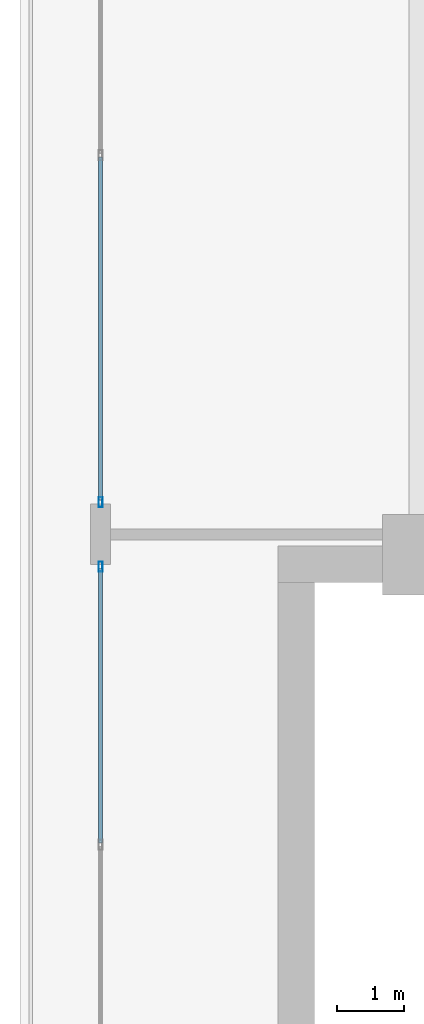
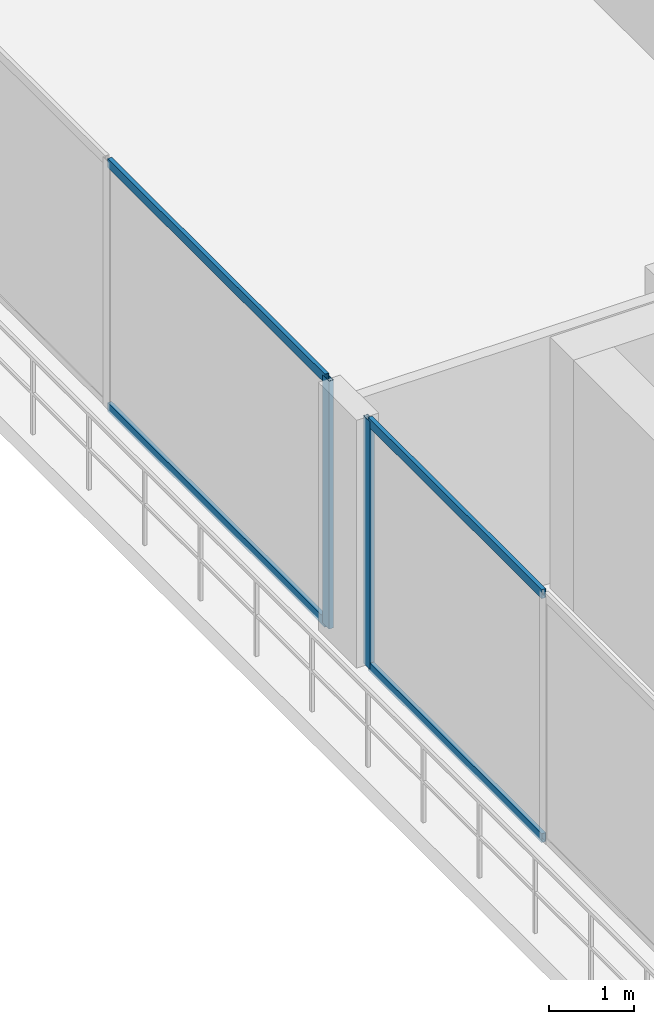
# One storey, part 4 of 26: 6 members, 2 elements without a shape of their own.
"""IFC4 building model written with IfcOpenShell, lengths in metres."""

from ifc_helpers import new_model, si_unit, direction, frame, origin, origin_2d, place, context, subcontext, project, spatial, hollow_rectangle, extrude, material, layer, layer_set, material_profile, profile_set, type_object, element, aggregate, save


model = new_model("IFC4")

# Units and contexts
model_context = context("Model", 3, precision=1e-05, world=origin(), true_north=direction((0.0, 1.0)))
body_context = subcontext(model_context, "Body", "Model", "MODEL_VIEW")
ifc_project = project(units=[si_unit("LENGTHUNIT", "METRE"), si_unit("AREAUNIT", "SQUARE_METRE"), si_unit("VOLUMEUNIT", "CUBIC_METRE"), si_unit("PLANEANGLEUNIT", "RADIAN"), si_unit("MASSUNIT", "GRAM", prefix="KILO")], contexts=[model_context])

# Site, building, storey
site_placement = place(None, origin())
site = spatial("IfcSite", under=ifc_project, at=site_placement, CompositionType="ELEMENT")
building_placement = place(site_placement, origin())
building = spatial("IfcBuilding", under=site, at=building_placement, Name="Zuhayl Quay Hotel", CompositionType="ELEMENT")
storey_placement = place(building_placement, frame((0.0, 0.0, 301.050048828125)))
storey = spatial("IfcBuildingStorey", under=building, at=storey_placement, Name="Crown 2", CompositionType="ELEMENT", Elevation=301.050048828125)

# Curtain wall, member
ifc_material_1 = material(Name="Anodised Aluminium 6063-T6", Category="aluminium")
ifc_layer = layer(ifc_material_1, 0.159912109375, Name="Anodised Aluminium 6063-T6", Category="aluminium")
ifc_layer_set = layer_set([ifc_layer], Name="Anodised Aluminium 6063-T6")
curtain_wall_type = type_object("IfcCurtainWallType", Name="CW_SYS_CRN", PredefinedType="USERDEFINED", material=ifc_layer_set)
curtain_wall_1_placement = place(storey_placement, origin())
curtain_wall_1 = element("IfcCurtainWall", 1, at=curtain_wall_1_placement, inside=storey, type_object=curtain_wall_type, Name="Crown 2 Curtain Wall ENV_CR2_E1_CW1", ObjectType="UNITISED CURTAIN WALL", PredefinedType="USERDEFINED")
ifc_material_2 = material(Name="Black-anodised aluminium 6063-T6", Category="aluminium")
ifc_material_profile_1 = material_profile(ifc_material_2, hollow_rectangle(XDim=0.06005859375, YDim=0.14990234375, WallThickness=0.00341796875, at=origin_2d()), Name="ALU150X60")
ifc_profile_set_1 = profile_set([ifc_material_profile_1], Name="Black-anodised aluminium 6063-T6")
member_type_1 = type_object("IfcMemberType", Name="MB_CW_MUL_150", PredefinedType="MULLION", material=ifc_profile_set_1)
member_1_placement = place(storey_placement, frame((-18.60009765625, 14.169921875, 0.0), z_axis=(0.0, 0.0, 1.0), x_axis=(-1.0, 0.0, 0.0)))
member_1 = element("IfcMember", 2, at=member_1_placement, type_object=member_type_1, Name="CW-CRN mullion 3", PredefinedType="MULLION", context=body_context, shape_type="SweptSolid", body=[
    extrude(hollow_rectangle(XDim=0.06005859375, YDim=0.14990234375, WallThickness=0.00341796875, at=origin_2d()), origin(), (0.0, 0.0, 1.0), 3.56005859375),
])

curtain_wall_2_placement = place(storey_placement, origin())
curtain_wall_2 = element("IfcCurtainWall", 3, at=curtain_wall_2_placement, inside=storey, type_object=curtain_wall_type, Name="Crown 2 Curtain Wall ENV_CR2_E1_CW2", ObjectType="UNITISED CURTAIN WALL", PredefinedType="USERDEFINED")
member_2_placement = place(storey_placement, frame((-18.60009765625, 15.1298828125, 0.0), z_axis=(0.0, 0.0, 1.0), x_axis=(-1.0, 0.0, 0.0)))
member_2 = element("IfcMember", 4, at=member_2_placement, type_object=member_type_1, Name="CW-CRN mullion 1", PredefinedType="MULLION", context=body_context, shape_type="SweptSolid", body=[
    extrude(hollow_rectangle(XDim=0.06005859375, YDim=0.14990234375, WallThickness=0.00341796875, at=origin_2d()), origin(), (0.0, 0.0, 1.0), 3.56005859375),
])

# Member
ifc_material_profile_2 = material_profile(ifc_material_2, hollow_rectangle(XDim=0.054931640625, YDim=0.1298828125, WallThickness=0.0029296875, at=origin_2d()), Name="ALU130X55")
ifc_profile_set_2 = profile_set([ifc_material_profile_2], Name="Black-anodised aluminium 6063-T6")
member_type_2 = type_object("IfcMemberType", Name="MB_CW_TRN_130", PredefinedType="USERDEFINED", material=ifc_profile_set_2)
member_3_placement = place(storey_placement, frame((-18.60009765625, 10.054931640625, 0.02734375), z_axis=(0.0, 1.0, 0.0), x_axis=(-1.0, 0.0, 0.0)))
member_3 = element("IfcMember", 5, at=member_3_placement, type_object=member_type_2, Name="CW-CRN transom 2.1", ObjectType="TRANSOM", PredefinedType="USERDEFINED", context=body_context, shape_type="SweptSolid", body=[
    extrude(hollow_rectangle(XDim=0.054931640625, YDim=0.1298828125, WallThickness=0.0029296875, at=origin_2d()), origin(), (0.0, 0.0, 1.0), 4.0849609375),
])

member_4_placement = place(storey_placement, frame((-18.60009765625, 10.054931640625, 3.532470703125), z_axis=(0.0, 1.0, 0.0), x_axis=(-1.0, 0.0, 0.0)))
member_4 = element("IfcMember", 6, at=member_4_placement, type_object=member_type_2, Name="CW-CRN transom 2.2", ObjectType="TRANSOM", PredefinedType="USERDEFINED", context=body_context, shape_type="SweptSolid", body=[
    extrude(hollow_rectangle(XDim=0.054931640625, YDim=0.1298828125, WallThickness=0.0029296875, at=origin_2d()), origin(), (0.0, 0.0, 1.0), 4.0849609375),
])

aggregate(curtain_wall_1, [member_1, member_3, member_4])

member_5_placement = place(storey_placement, frame((-18.60009765625, 15.159912109375, 0.02734375), z_axis=(0.0, 1.0, 0.0), x_axis=(-1.0, 0.0, 0.0)))
member_5 = element("IfcMember", 7, at=member_5_placement, type_object=member_type_2, Name="CW-CRN transom 1.1", ObjectType="TRANSOM", PredefinedType="USERDEFINED", context=body_context, shape_type="SweptSolid", body=[
    extrude(hollow_rectangle(XDim=0.054931640625, YDim=0.1298828125, WallThickness=0.0029296875, at=origin_2d()), origin(), (0.0, 0.0, 1.0), 5.110107421875),
])

member_6_placement = place(storey_placement, frame((-18.60009765625, 15.159912109375, 3.532470703125), z_axis=(0.0, 1.0, 0.0), x_axis=(-1.0, 0.0, 0.0)))
member_6 = element("IfcMember", 8, at=member_6_placement, type_object=member_type_2, Name="CW-CRN transom 1.2", ObjectType="TRANSOM", PredefinedType="USERDEFINED", context=body_context, shape_type="SweptSolid", body=[
    extrude(hollow_rectangle(XDim=0.054931640625, YDim=0.1298828125, WallThickness=0.0029296875, at=origin_2d()), origin(), (0.0, 0.0, 1.0), 5.110107421875),
])

aggregate(curtain_wall_2, [member_2, member_5, member_6])

save(model, "model.ifc")
